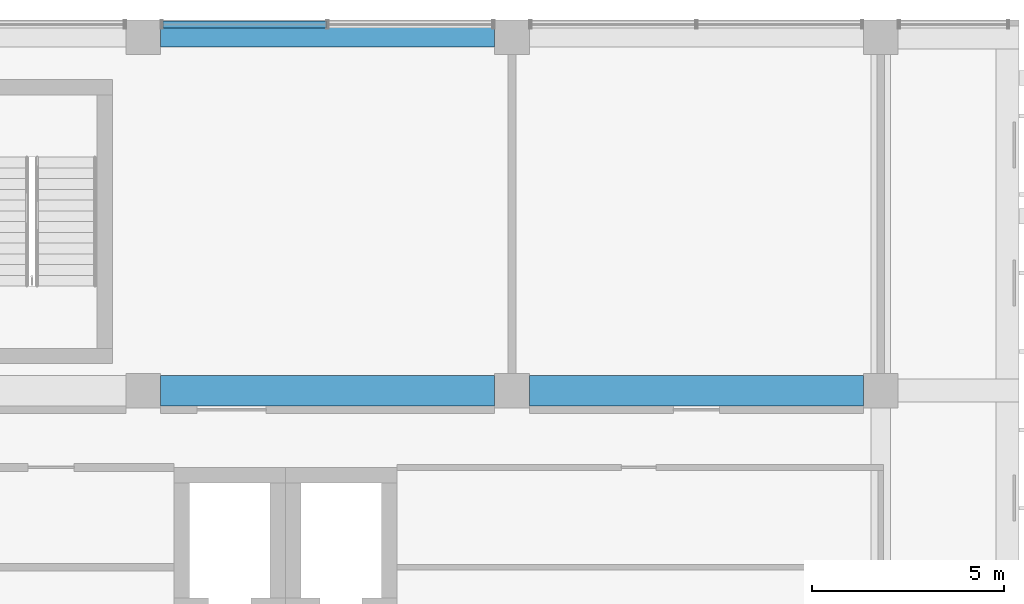
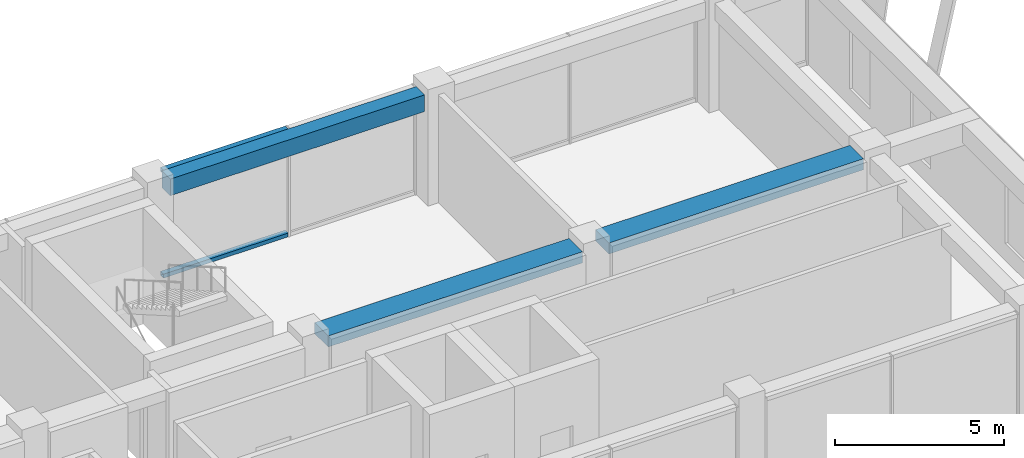
# One storey, part 23 of 37: 3 beams, 2 members, 1 element without a shape of its own.
"""IFC4 building model written with IfcOpenShell, lengths in metres."""

from ifc_helpers import new_model, si_unit, direction, frame, origin, origin_2d, place, context, subcontext, project, spatial, rectangle, hollow_rectangle, extrude, material, layer, layer_set, material_profile, profile_set, type_object, element, aggregate, save


model = new_model("IFC4")

# Units and contexts
model_context = context("Model", 3, precision=1e-05, world=origin(), true_north=direction((0.0, 1.0)))
body_context = subcontext(model_context, "Body", "Model", "MODEL_VIEW")
ifc_project = project(units=[si_unit("LENGTHUNIT", "METRE"), si_unit("AREAUNIT", "SQUARE_METRE"), si_unit("VOLUMEUNIT", "CUBIC_METRE"), si_unit("PLANEANGLEUNIT", "RADIAN"), si_unit("MASSUNIT", "GRAM", prefix="KILO")], contexts=[model_context])

# Site, building, storey
site_placement = place(None, origin())
site = spatial("IfcSite", under=ifc_project, at=site_placement, CompositionType="ELEMENT")
building_placement = place(site_placement, origin())
building = spatial("IfcBuilding", under=site, at=building_placement, Name="Nzadi Deep Aquarium and Research Tower", CompositionType="ELEMENT")
storey_placement = place(building_placement, frame((0.0, 0.0, 57.10009765625)))
storey = spatial("IfcBuildingStorey", under=building, at=storey_placement, Name="L11", CompositionType="ELEMENT", Elevation=57.10009765625)

# Beams
ifc_material_1 = material(Name="Concrete C35/45", Category="concrete")
ifc_material_profile_1 = material_profile(ifc_material_1, rectangle(XDim=0.5, YDim=0.60009765625, at=origin_2d()))
ifc_profile_set_1 = profile_set([ifc_material_profile_1], Name="Concrete C35/45")
beam_type_1 = type_object("IfcBeamType", Name="RC 500x600", PredefinedType="BEAM", material=ifc_profile_set_1)
beam_placement = place(storey_placement, frame((29.25, 46.0, 3.599853515625), z_axis=(1.0, 0.0, 0.0), x_axis=(0.0, 1.0, 0.0)))
element("IfcBeam", 1, at=beam_placement, inside=storey, type_object=beam_type_1, Name="B-Z1-L11-L6-4", PredefinedType="BEAM", context=body_context, shape_type="SweptSolid", body=[
    extrude(rectangle(XDim=0.5, YDim=0.60009765625, at=origin_2d()), origin(), (0.0, 0.0, 1.0), 8.699951171875),
])
ifc_material_2 = material(Name="Concrete C35/45", Category="concrete")
ifc_material_profile_2 = material_profile(ifc_material_2, rectangle(XDim=0.800048828125, YDim=0.39990234375, at=origin_2d()))
ifc_profile_set_2 = profile_set([ifc_material_profile_2], Name="Concrete C35/45")
beam_type_2 = type_object("IfcBeamType", Name="RC 800x400", PredefinedType="BEAM", material=ifc_profile_set_2)
for number, where, z_axis, x_axis, name in (
    (2, (29.25, 36.800048828125, 3.699951171875), (1.0, 0.0, 0.0), (0.0, 1.0, 0.0), "B-Z1-L11-L5-4"),
    (3, (38.85009765625, 36.800048828125, 3.699951171875), (1.0, 0.0, 0.0), (0.0, 1.0, 0.0), "B-Z1-L11-L5-5"),
):
    element("IfcBeam", number, at=place(storey_placement, frame(where, z_axis=z_axis, x_axis=x_axis)), inside=storey, type_object=beam_type_2, Name=name, PredefinedType="BEAM", context=body_context, shape_type="SweptSolid", body=[
        extrude(rectangle(XDim=0.800048828125, YDim=0.39990234375, at=origin_2d()), origin(), (0.0, 0.0, 1.0), 8.699951171875),
    ])

# Curtain wall, members
ifc_material_3 = material(Name="Aluminium unitised frame deep", Category="aluminium")
ifc_layer = layer(ifc_material_3, 0.22509765625)
ifc_layer_set = layer_set([ifc_layer], Name="Aluminium unitised frame deep")
curtain_wall_type = type_object("IfcCurtainWallType", Name="Curtain wall Unitised Deep 225", PredefinedType="NOTDEFINED", material=ifc_layer_set)
curtain_wall_placement = place(storey_placement, origin())
curtain_wall = element("IfcCurtainWall", 4, at=curtain_wall_placement, inside=storey, type_object=curtain_wall_type, Name="Unitised curtain wall blade B north L11", PredefinedType="NOTDEFINED")
ifc_material_4 = material(Name="Aluminium unitised frame deep", Category="aluminium")
ifc_material_profile_3 = material_profile(ifc_material_4, hollow_rectangle(XDim=0.179931640625, YDim=0.139892578125, WallThickness=0.0048828125, at=origin_2d()))
ifc_profile_set_3 = profile_set([ifc_material_profile_3], Name="Aluminium unitised frame deep")
member_type = type_object("IfcMemberType", Name="Transom 140x180 Unitised Deep", PredefinedType="MULLION", material=ifc_profile_set_3)
member_1_placement = place(storey_placement, frame((29.31005859375, 46.33740234375, 0.06982421875), z_axis=(1.0, 0.0, 0.0), x_axis=(0.0, 1.0, 0.0)))
member_1 = element("IfcMember", 5, at=member_1_placement, type_object=member_type, Name="CW149 transom 1.1", PredefinedType="MULLION", context=body_context, shape_type="SweptSolid", body=[
    extrude(hollow_rectangle(XDim=0.179931640625, YDim=0.139892578125, WallThickness=0.0048828125, at=origin_2d()), origin(), (0.0, 0.0, 1.0), 4.260009765625),
])
member_2_placement = place(storey_placement, frame((29.31005859375, 46.33740234375, 3.829833984375), z_axis=(1.0, 0.0, 0.0), x_axis=(0.0, 1.0, 0.0)))
member_2 = element("IfcMember", 6, at=member_2_placement, type_object=member_type, Name="CW149 transom 1.2", PredefinedType="MULLION", context=body_context, shape_type="SweptSolid", body=[
    extrude(hollow_rectangle(XDim=0.179931640625, YDim=0.139892578125, WallThickness=0.0048828125, at=origin_2d()), origin(), (0.0, 0.0, 1.0), 4.260009765625),
])
aggregate(curtain_wall, [member_1, member_2])

save(model, "model.ifc")
